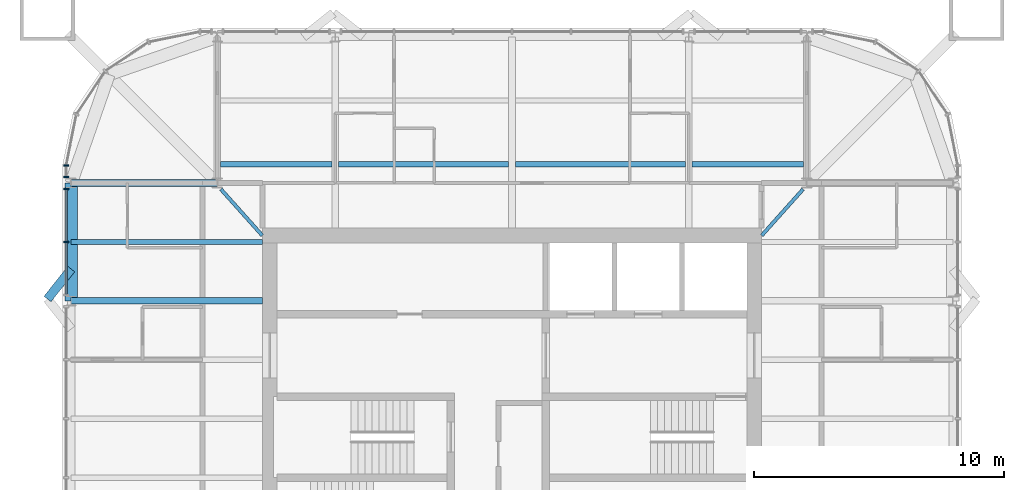
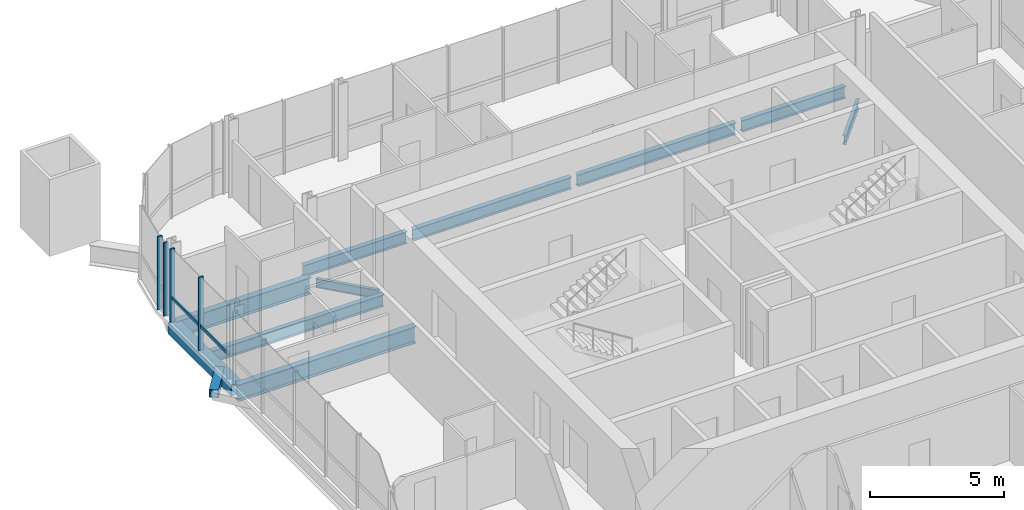
# One storey, part 4 of 17: 11 beams, 6 members, 2 elements without a shape of their own.
"""IFC4 building model written with IfcOpenShell, lengths in metres."""

from ifc_helpers import new_model, si_unit, direction, frame, origin, origin_2d, place, context, subcontext, project, spatial, rectangle, hollow_rectangle, i_section, extrude, material, material_profile, profile_set, type_object, element, aggregate, save


model = new_model("IFC4")

# Units and contexts
model_context = context("Model", 3, precision=1e-05, world=origin(), true_north=direction((0.0, 1.0)))
body_context = subcontext(model_context, "Body", "Model", "MODEL_VIEW")
ifc_project = project(units=[si_unit("LENGTHUNIT", "METRE"), si_unit("AREAUNIT", "SQUARE_METRE"), si_unit("VOLUMEUNIT", "CUBIC_METRE"), si_unit("PLANEANGLEUNIT", "RADIAN"), si_unit("MASSUNIT", "GRAM", prefix="KILO")], contexts=[model_context])

# Site, building, storey
site_placement = place(None, origin())
site = spatial("IfcSite", under=ifc_project, at=site_placement, CompositionType="ELEMENT")
building_placement = place(site_placement, origin())
building = spatial("IfcBuilding", under=site, at=building_placement, Name="Turquesa Mirador Hotel Tower", CompositionType="ELEMENT")
storey_placement = place(building_placement, frame((0.0, 0.0, 258.199951171875)))
storey = spatial("IfcBuildingStorey", under=building, at=storey_placement, Name="L70", CompositionType="ELEMENT", Elevation=258.199951171875)

# Beams
ifc_material_1 = material(Name="Steel ASTM A572 Grade 50", Category="steel")
ifc_material_profile_1 = material_profile(ifc_material_1, hollow_rectangle(XDim=0.5, YDim=0.5, WallThickness=0.01611328125, at=origin_2d()), Name="BOX500X500X16")
ifc_profile_set_1 = profile_set([ifc_material_profile_1], Name="Steel ASTM A572 Grade 50")
beam_type_1 = type_object("IfcBeamType", Name="BEAM BOX500X500X16", PredefinedType="BEAM", material=ifc_profile_set_1)
beam_1_placement = place(storey_placement, frame((37.35009765625, 52.080078125, -0.419921875), z_axis=(0.0, 1.0, 0.0), x_axis=(-1.0, 0.0, 0.0)))
element("IfcBeam", 1, at=beam_1_placement, inside=storey, type_object=beam_type_1, Name="EB-L70-W-R", PredefinedType="BEAM", context=body_context, shape_type="SweptSolid", body=[
    extrude(hollow_rectangle(XDim=0.5, YDim=0.5, WallThickness=0.01611328125, at=origin_2d()), origin(), (0.0, 0.0, 1.0), 4.719970703125),
])
ifc_material_2 = material(Name="Steel ASTM A992 Grade 50", Category="steel")
ifc_material_profile_2 = material_profile(ifc_material_2, i_section(OverallWidth=0.140380859375, OverallDepth=0.40380859375, WebThickness=0.007080078125, FlangeThickness=0.01123046875, at=origin_2d()), Name="W16X31")
ifc_profile_set_2 = profile_set([ifc_material_profile_2], Name="Steel ASTM A992 Grade 50")
beam_type_2 = type_object("IfcBeamType", Name="BEAM W16X31", PredefinedType="BEAM", material=ifc_profile_set_2)
for number, where, z_axis, x_axis, name in (
    (2, (66.656494140625, 56.55126953125, -0.371826171875), (-0.666806350186, -0.745231032198, 0.0), (0.745231032198, -0.666806350186, 0.0), "KT-L70-1"),
    (3, (43.343505859375, 56.55126953125, -0.371826171875), (0.666806350186, -0.745231032198, 0.0), (0.745231032198, 0.666806350186, 0.0), "KT-L70-2"),
):
    element("IfcBeam", number, at=place(storey_placement, frame(where, z_axis=z_axis, x_axis=x_axis)), inside=storey, type_object=beam_type_2, Name=name, PredefinedType="BEAM", context=body_context, shape_type="SweptSolid", body=[
        extrude(i_section(OverallWidth=0.140380859375, OverallDepth=0.40380859375, WebThickness=0.007080078125, FlangeThickness=0.01123046875, at=origin_2d()), origin(), (0.0, 0.0, 1.0), 2.484130859375),
    ])
ifc_material_3 = material(Name="Steel ASTM A992 Grade 50", Category="steel")
ifc_material_profile_3 = material_profile(ifc_material_3, i_section(OverallWidth=0.209228515625, OverallDepth=0.533447265625, WebThickness=0.01025390625, FlangeThickness=0.015625, at=origin_2d()), Name="W21X62")
ifc_profile_set_3 = profile_set([ifc_material_profile_3], Name="Steel ASTM A992 Grade 50")
beam_type_3 = type_object("IfcBeamType", Name="BEAM W21X62", PredefinedType="BEAM", material=ifc_profile_set_3)
beam_2_placement = place(storey_placement, frame((43.333251953125, 57.550048828125, -0.436767578125), z_axis=(1.0, 0.0, 0.0), x_axis=(0.0, 1.0, 0.0)))
element("IfcBeam", 4, at=beam_2_placement, inside=storey, type_object=beam_type_3, Name="IB-L70-N-1-0", PredefinedType="BEAM", context=body_context, shape_type="SweptSolid", body=[
    extrude(i_section(OverallWidth=0.209228515625, OverallDepth=0.533447265625, WebThickness=0.01025390625, FlangeThickness=0.015625, at=origin_2d()), origin(), (0.0, 0.0, 1.0), 4.453369140625),
])
for number, where, z_axis, x_axis, name in (
    (5, (48.053466796875, 57.550048828125, -0.436767578125), (1.0, 0.0, 0.0), (0.0, 1.0, 0.0), "IB-L70-N-1-1"),
    (6, (55.13330078125, 57.550048828125, -0.436767578125), (1.0, 0.0, 0.0), (0.0, 1.0, 0.0), "IB-L70-N-1-2"),
):
    element("IfcBeam", number, at=place(storey_placement, frame(where, z_axis=z_axis, x_axis=x_axis)), inside=storey, type_object=beam_type_3, Name=name, PredefinedType="BEAM", context=body_context, shape_type="SweptSolid", body=[
        extrude(i_section(OverallWidth=0.209228515625, OverallDepth=0.533447265625, WebThickness=0.01025390625, FlangeThickness=0.015625, at=origin_2d()), origin(), (0.0, 0.0, 1.0), 6.813232421875),
    ])
beam_3_placement = place(storey_placement, frame((62.21337890625, 57.550048828125, -0.436767578125), z_axis=(1.0, 0.0, 0.0), x_axis=(0.0, 1.0, 0.0)))
element("IfcBeam", 7, at=beam_3_placement, inside=storey, type_object=beam_type_3, Name="IB-L70-N-1-3", PredefinedType="BEAM", context=body_context, shape_type="SweptSolid", body=[
    extrude(i_section(OverallWidth=0.209228515625, OverallDepth=0.533447265625, WebThickness=0.01025390625, FlangeThickness=0.015625, at=origin_2d()), origin(), (0.0, 0.0, 1.0), 4.453369140625),
])
beam_4_placement = place(storey_placement, frame((37.35009765625, 54.43994140625, -0.436767578125), z_axis=(1.0, 0.0, 0.0), x_axis=(0.0, 1.0, 0.0)))
element("IfcBeam", 8, at=beam_4_placement, inside=storey, type_object=beam_type_3, Name="BM-L70-W-+9.44", PredefinedType="BEAM", context=body_context, shape_type="SweptSolid", body=[
    extrude(i_section(OverallWidth=0.209228515625, OverallDepth=0.533447265625, WebThickness=0.01025390625, FlangeThickness=0.015625, at=origin_2d()), origin(), (0.0, 0.0, 1.0), 7.64990234375),
])
ifc_material_4 = material(Name="Steel ASTM A992 Grade 50", Category="steel")
ifc_material_profile_4 = material_profile(ifc_material_4, i_section(OverallWidth=0.2666015625, OverallDepth=0.7568359375, WebThickness=0.013916015625, FlangeThickness=0.019287109375, at=origin_2d()), Name="W30X108")
ifc_profile_set_4 = profile_set([ifc_material_profile_4], Name="Steel ASTM A992 Grade 50")
beam_type_4 = type_object("IfcBeamType", Name="BEAM W30X108", PredefinedType="BEAM", material=ifc_profile_set_4)
beam_5_placement = place(storey_placement, frame((37.35009765625, 52.080078125, -0.54833984375), z_axis=(1.0, 0.0, 0.0), x_axis=(0.0, 1.0, 0.0)))
element("IfcBeam", 9, at=beam_5_placement, inside=storey, type_object=beam_type_4, Name="GD-L70-W-+7.08", PredefinedType="BEAM", context=body_context, shape_type="SweptSolid", body=[
    extrude(i_section(OverallWidth=0.2666015625, OverallDepth=0.7568359375, WebThickness=0.013916015625, FlangeThickness=0.019287109375, at=origin_2d()), origin(), (0.0, 0.0, 1.0), 7.64990234375),
])
beam_6_placement = place(storey_placement, frame((37.35009765625, 56.800048828125, -0.54833984375), z_axis=(1.0, 0.0, 0.0), x_axis=(0.0, 1.0, 0.0)))
element("IfcBeam", 10, at=beam_6_placement, inside=storey, type_object=beam_type_4, Name="GK-L70-W-+11.80", PredefinedType="BEAM", context=body_context, shape_type="SweptSolid", body=[
    extrude(i_section(OverallWidth=0.2666015625, OverallDepth=0.7568359375, WebThickness=0.013916015625, FlangeThickness=0.019287109375, at=origin_2d()), origin(), (0.0, 0.0, 1.0), 5.849853515625),
])
ifc_material_5 = material(Name="Steel ASTM A500 Grade C", Category="steel")
ifc_material_profile_5 = material_profile(ifc_material_5, hollow_rectangle(XDim=0.355712890625, YDim=0.355712890625, WallThickness=0.0146484375, at=origin_2d()), Name="HSS14X14X5/8")
ifc_profile_set_5 = profile_set([ifc_material_profile_5], Name="Steel ASTM A500 Grade C")
beam_type_5 = type_object("IfcBeamType", Name="BRACE STRUT HSS14X14X5/8", PredefinedType="BEAM", material=ifc_profile_set_5)
beam_7_placement = place(storey_placement, frame((36.39990234375, 52.15380859375, -0.34765625), z_axis=(0.620796907089, 0.783971428146, 0.0), x_axis=(-0.783971428146, 0.620796907089, 0.0)))
element("IfcBeam", 11, at=beam_7_placement, inside=storey, type_object=beam_type_5, Name="Brace strut", PredefinedType="BEAM", context=body_context, shape_type="SweptSolid", body=[
    extrude(hollow_rectangle(XDim=0.355712890625, YDim=0.355712890625, WallThickness=0.0146484375, at=origin_2d()), origin(), (0.0, 0.0, 1.0), 1.530517578125),
])

# Curtain wall, members
ifc_material_6 = material(Name="Aluminium extrusion", Category="aluminium")
curtain_wall_type = type_object("IfcCurtainWallType", Name="CW-4 SUITE FRITTED CURTAIN WALL", PredefinedType="USERDEFINED", material=ifc_material_6)
curtain_wall_1_placement = place(storey_placement, origin())
curtain_wall_1 = element("IfcCurtainWall", 12, at=curtain_wall_1_placement, inside=storey, type_object=curtain_wall_type, Name="CW-4 SUITE FRITTED CURTAIN WALL L70", ObjectType="CURTAIN WALL", PredefinedType="USERDEFINED")
ifc_material_7 = material(Name="Aluminium extrusion", Category="aluminium")
ifc_material_profile_6 = material_profile(ifc_material_7, rectangle(XDim=0.06494140625, YDim=0.199951171875, at=origin_2d()), Name="MULLION 65X200")
ifc_profile_set_6 = profile_set([ifc_material_profile_6], Name="Aluminium extrusion")
member_type_1 = type_object("IfcMemberType", Name="CW MULLION 65X200", PredefinedType="MULLION", material=ifc_profile_set_6)
member_1_placement = place(storey_placement, frame((37.14990234375, 57.5, 0.0), z_axis=(0.0, 0.0, 1.0), x_axis=(0.0, -1.0, 0.0)))
member_1 = element("IfcMember", 13, at=member_1_placement, type_object=member_type_1, Name="Mullion", PredefinedType="MULLION", context=body_context, shape_type="SweptSolid", body=[
    extrude(rectangle(XDim=0.06494140625, YDim=0.199951171875, at=origin_2d()), origin(), (0.0, 0.0, 1.0), 3.330078125),
])
member_2_placement = place(storey_placement, frame((37.14990234375, 57.033935546875, 0.0), z_axis=(0.0, 0.0, 1.0), x_axis=(0.0, -1.0, 0.0)))
member_2 = element("IfcMember", 14, at=member_2_placement, type_object=member_type_1, Name="Mullion", PredefinedType="MULLION", context=body_context, shape_type="SweptSolid", body=[
    extrude(rectangle(XDim=0.06494140625, YDim=0.199951171875, at=origin_2d()), origin(), (0.0, 0.0, 1.0), 3.330078125),
])
aggregate(curtain_wall_1, [member_1, member_2])

curtain_wall_2_placement = place(storey_placement, origin())
curtain_wall_2 = element("IfcCurtainWall", 15, at=curtain_wall_2_placement, inside=storey, type_object=curtain_wall_type, Name="CW-4 SUITE FRITTED CURTAIN WALL L70", ObjectType="CURTAIN WALL", PredefinedType="USERDEFINED")
member_3_placement = place(storey_placement, frame((37.14990234375, 56.566162109375, 0.0), z_axis=(0.0, 0.0, 1.0), x_axis=(0.0, -1.0, 0.0)))
member_3 = element("IfcMember", 16, at=member_3_placement, type_object=member_type_1, Name="Mullion", PredefinedType="MULLION", context=body_context, shape_type="SweptSolid", body=[
    extrude(rectangle(XDim=0.06494140625, YDim=0.199951171875, at=origin_2d()), origin(), (0.0, 0.0, 1.0), 3.330078125),
])
member_4_placement = place(storey_placement, frame((37.14990234375, 54.43994140625, 0.0), z_axis=(0.0, 0.0, 1.0), x_axis=(0.0, -1.0, 0.0)))
member_4 = element("IfcMember", 17, at=member_4_placement, type_object=member_type_1, Name="Mullion", PredefinedType="MULLION", context=body_context, shape_type="SweptSolid", body=[
    extrude(rectangle(XDim=0.06494140625, YDim=0.199951171875, at=origin_2d()), origin(), (0.0, 0.0, 1.0), 3.330078125),
])
ifc_material_8 = material(Name="Aluminium extrusion", Category="aluminium")
ifc_material_profile_7 = material_profile(ifc_material_8, rectangle(XDim=0.06494140625, YDim=0.14990234375, at=origin_2d()), Name="TRANSOM 65X150")
ifc_profile_set_7 = profile_set([ifc_material_profile_7], Name="Aluminium extrusion")
member_type_2 = type_object("IfcMemberType", Name="CW TRANSOM 65X150", PredefinedType="USERDEFINED", material=ifc_profile_set_7)
member_5_placement = place(storey_placement, frame((37.14990234375, 56.53369140625, 1.10009765625), z_axis=(0.0, -1.0, 0.0), x_axis=(1.0, 0.0, 0.0)))
member_5 = element("IfcMember", 18, at=member_5_placement, type_object=member_type_2, Name="Transom", ObjectType="TRANSOM", PredefinedType="USERDEFINED", context=body_context, shape_type="SweptSolid", body=[
    extrude(rectangle(XDim=0.06494140625, YDim=0.14990234375, at=origin_2d()), origin(), (0.0, 0.0, 1.0), 2.061279296875),
])
member_6_placement = place(storey_placement, frame((37.14990234375, 54.407470703125, 1.10009765625), z_axis=(0.0, -1.0, 0.0), x_axis=(1.0, 0.0, 0.0)))
member_6 = element("IfcMember", 19, at=member_6_placement, type_object=member_type_2, Name="Transom", ObjectType="TRANSOM", PredefinedType="USERDEFINED", context=body_context, shape_type="SweptSolid", body=[
    extrude(rectangle(XDim=0.06494140625, YDim=0.14990234375, at=origin_2d()), origin(), (0.0, 0.0, 1.0), 2.06103515625),
])
aggregate(curtain_wall_2, [member_3, member_4, member_5, member_6])

save(model, "model.ifc")
